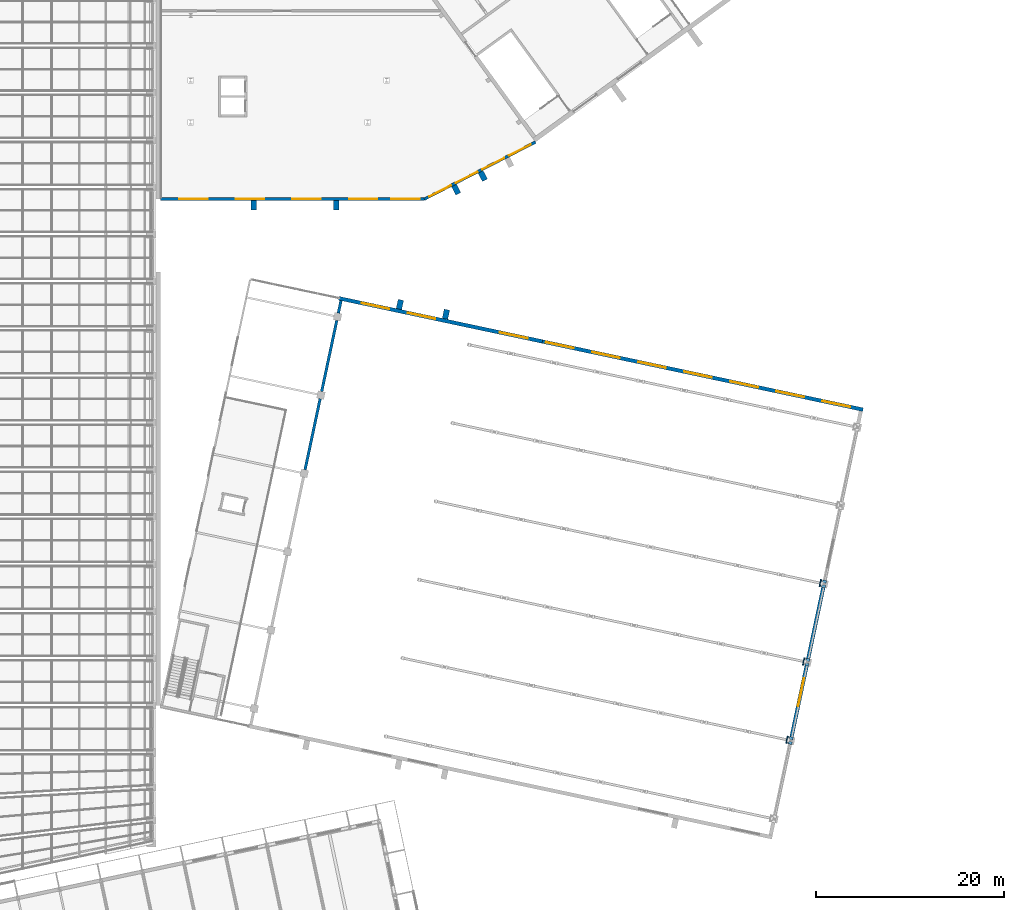
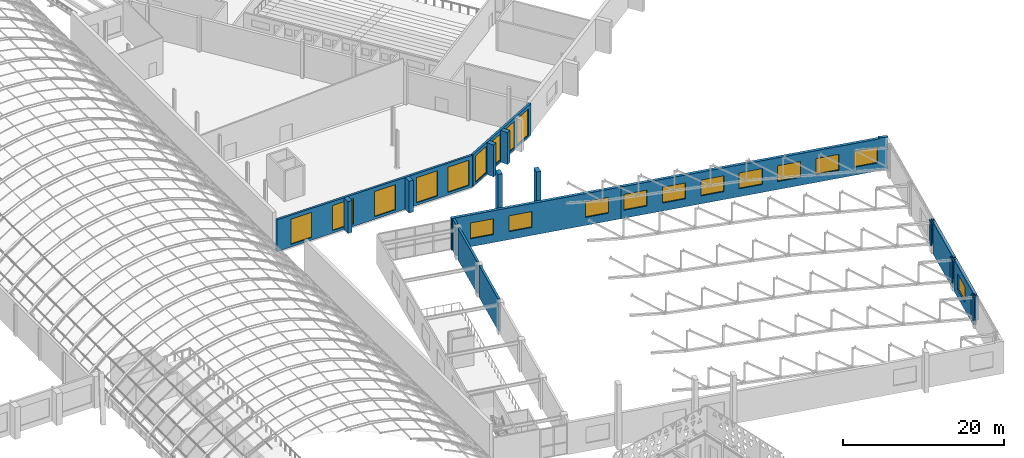
# One storey, part 137 of 182: 24 walls, 20 windows, 20 openings.
"""IFC4 building model written with IfcOpenShell, lengths in metres."""

import ifcopenshell
import ifcopenshell.guid

model = None  # the IFC model being written
_history = None  # IfcOwnerHistory: only IFC2X3 demands one
_inside = {}  # id of a spatial element -> (the spatial element, [elements in it])
_under = {}  # id of a project, library or spatial element -> (it, [spatial elements below it])
_declared = {}  # id of a project -> (the project, [libraries it declares])
_typed = {}  # id of a type object -> (the type object, [elements of that type])
_made_of = {}  # id of a material, layer set ... -> (it, [elements and type objects made of it])


def new_model(schema):
    """Start an empty IFC model of exactly this schema.

    Asked for "IFC4X3", IfcOpenShell would pick the latest addendum, in which some entities
    have other attributes; the version numbers below select the first issue.
    IFC2X3 requires an IfcOwnerHistory on every rooted entity: one is made here for all.
    """
    global model, _history
    if schema == "IFC4X3":
        model = ifcopenshell.file(schema_version=(4, 3, 0, 0))
    else:
        model = ifcopenshell.file(schema=schema)
    _inside.clear()
    _under.clear()
    _declared.clear()
    _typed.clear()
    _made_of.clear()
    _history = None
    if model.schema == "IFC2X3":
        org = make("IfcOrganization", Name="unknown")
        user = make(
            "IfcPersonAndOrganization",
            ThePerson=make("IfcPerson", FamilyName="unknown"),
            TheOrganization=org,
        )
        app = make(
            "IfcApplication",
            ApplicationDeveloper=org,
            Version="unknown",
            ApplicationFullName="unknown",
            ApplicationIdentifier="unknown",
        )
        _history = make(
            "IfcOwnerHistory",
            OwningUser=user,
            OwningApplication=app,
            ChangeAction="ADDED",
            CreationDate=0,
        )
    return model


def make(cls, **values):
    """One entity of the class cls with the attributes given. An attribute that is None is left unset."""
    return model.create_entity(
        cls, **{name: value for name, value in values.items() if value is not None}
    )


def rooted(cls, **values):
    """An entity with a GlobalId (a new one), such as an element, a storey or a relation."""
    return make(cls, GlobalId=ifcopenshell.guid.new(), OwnerHistory=_history, **values)


def si_unit(unit_type, name, prefix=None):
    """IfcSIUnit, for example si_unit("LENGTHUNIT", "METRE", prefix="MILLI")."""
    return make("IfcSIUnit", UnitType=unit_type, Prefix=prefix, Name=name)


def assignment(units):
    """IfcUnitAssignment: the units of a project."""
    return None if units is None else make("IfcUnitAssignment", Units=units)


def point(xyz):
    """IfcCartesianPoint."""
    return None if xyz is None else make("IfcCartesianPoint", Coordinates=xyz)


def direction(xyz):
    """IfcDirection."""
    return None if xyz is None else make("IfcDirection", DirectionRatios=xyz)


def frame(location, z_axis=None, x_axis=None):
    """IfcAxis2Placement3D, a coordinate frame: its origin and axes. An axis left out is left unset."""
    return make(
        "IfcAxis2Placement3D",
        Location=point(location),
        Axis=direction(z_axis),
        RefDirection=direction(x_axis),
    )


def frame_2d(location, x_axis=None):
    """IfcAxis2Placement2D, a coordinate frame in the plane: its origin and x axis."""
    return make(
        "IfcAxis2Placement2D", Location=point(location), RefDirection=direction(x_axis)
    )


def origin():
    """The frame at (0, 0, 0) with its axes left unset."""
    return frame((0.0, 0.0, 0.0))


def place(relative_to, where):
    """IfcLocalPlacement: puts the frame where relative to a parent placement (None: the world)."""
    return make(
        "IfcLocalPlacement", PlacementRelTo=relative_to, RelativePlacement=where
    )


def context(
    kind, dimensions, precision=None, world=None, true_north=None, identifier=None
):
    """IfcGeometricRepresentationContext, for example the 3D "Model" context."""
    return make(
        "IfcGeometricRepresentationContext",
        ContextIdentifier=identifier,
        ContextType=kind,
        CoordinateSpaceDimension=dimensions,
        Precision=precision,
        WorldCoordinateSystem=world,
        TrueNorth=true_north,
    )


def subcontext(parent, identifier, kind, view, scale=None):
    """IfcGeometricRepresentationSubContext, for example "Body" below "Model"."""
    return make(
        "IfcGeometricRepresentationSubContext",
        ContextIdentifier=identifier,
        ContextType=kind,
        ParentContext=parent,
        TargetScale=scale,
        TargetView=view,
    )


def project(units=None, contexts=None):
    """IfcProject with its units and contexts."""
    return rooted(
        "IfcProject",
        Name="project",
        RepresentationContexts=contexts,
        UnitsInContext=assignment(units),
    )


def spatial(cls, under=None, at=None, **own):
    """A site, building, storey or space (cls), placed at a placement, below another one or the project."""
    s = rooted(cls, ObjectPlacement=at, **own)
    if under is not None:
        _under.setdefault(under.id(), (under, []))[1].append(s)
    return s


def polyline(points):
    """IfcPolyline through the points."""
    return make("IfcPolyline", Points=[point(p) for p in points])


def profile(cls, at=None, kind="AREA", **sizes):
    """A parametric profile (cls). Its sizes go by their IFC names, for example OverallWidth=200.0."""
    return make(cls, ProfileType=kind, Position=at, **sizes)


def rectangle(**sizes):
    """IfcRectangleProfileDef."""
    return profile("IfcRectangleProfileDef", **sizes)


def outline(outer, holes=None, kind="AREA"):
    """IfcArbitraryClosedProfileDef: a profile drawn as a closed curve; with holes, ...WithVoids."""
    if holes is None:
        return make("IfcArbitraryClosedProfileDef", ProfileType=kind, OuterCurve=outer)
    return make(
        "IfcArbitraryProfileDefWithVoids",
        ProfileType=kind,
        OuterCurve=outer,
        InnerCurves=holes,
    )


def extrude(swept, where, along, depth):
    """IfcExtrudedAreaSolid: the profile swept, set in the frame where, extruded along a direction by depth."""
    return make(
        "IfcExtrudedAreaSolid",
        SweptArea=swept,
        Position=where,
        ExtrudedDirection=direction(along),
        Depth=depth,
    )


def shape(context_of_items, identifier, shape_type, items):
    """IfcShapeRepresentation: the items that make up one representation, for example the "Body"."""
    return make(
        "IfcShapeRepresentation",
        ContextOfItems=context_of_items,
        RepresentationIdentifier=identifier,
        RepresentationType=shape_type,
        Items=items,
    )


def material(Name=None, Category=None):
    """IfcMaterial."""
    return make("IfcMaterial", Name=Name, Category=Category)


def layer(
    of_material, thickness, ventilated=None, Name=None, Category=None, Priority=None
):
    """IfcMaterialLayer: one layer of a wall or slab, of a material (None: an air gap)."""
    return make(
        "IfcMaterialLayer",
        Material=of_material,
        LayerThickness=thickness,
        IsVentilated=ventilated,
        Name=Name,
        Category=Category,
        Priority=Priority,
    )


def layer_set(layers, Name=None):
    """IfcMaterialLayerSet."""
    return make("IfcMaterialLayerSet", MaterialLayers=layers, LayerSetName=Name)


def made_of(thing, what):
    """Note that an element or type object is made of a material, layer set ...; save() writes the relation."""
    if what is not None:
        _made_of.setdefault(what.id(), (what, []))[1].append(thing)
    return thing


def type_object(cls, material=None, **own):
    """A type object (cls), such as IfcWallType, which elements share."""
    return made_of(rooted(cls, **own), material)


def element(
    cls,
    number,
    at=None,
    inside=None,
    cuts=None,
    type_object=None,
    material=None,
    context=None,
    identifier="Body",
    shape_type=None,
    held_by="IfcProductDefinitionShape",
    body=None,
    shapes=None,
    **own,
):
    """One element of the class cls, such as IfcWall. Its Tag is "e" and its number.

    at: its placement. inside: the storey or other place that contains it. cuts: it is an
    opening in that element (IfcRelVoidsElement). A single representation is given by context,
    identifier, shape_type and body (its items); several are given by shapes. held_by: the class
    of the entity that holds the representations. save() writes the other relations.
    """
    e = rooted(cls, Tag="e%d" % number, ObjectPlacement=at, **own)
    if body is not None:
        shapes = [shape(context, identifier, shape_type, body)]
    if shapes is not None:
        e.Representation = make(held_by, Representations=shapes)
    if inside is not None:
        _inside.setdefault(inside.id(), (inside, []))[1].append(e)
    if cuts is not None:
        rooted(
            "IfcRelVoidsElement", RelatingBuildingElement=cuts, RelatedOpeningElement=e
        )
    if type_object is not None:
        _typed.setdefault(type_object.id(), (type_object, []))[1].append(e)
    return made_of(e, material)


def fill(opening, filler):
    """IfcRelFillsElement: the door or window that sits in an opening."""
    return rooted(
        "IfcRelFillsElement",
        RelatingOpeningElement=opening,
        RelatedBuildingElement=filler,
    )


def aggregate(whole, parts):
    """IfcRelAggregates: a whole, such as a stair, and the parts it consists of."""
    return rooted("IfcRelAggregates", RelatingObject=whole, RelatedObjects=parts)


def save(model, path):
    """Write the relations noted so far, then the file.

    IfcRelAggregates (storeys below a building ...), IfcRelContainedInSpatialStructure (elements
    in a storey), IfcRelDefinesByType, IfcRelAssociatesMaterial and IfcRelDeclares: one each for
    every whole, place, type object, material and project.
    """
    for whole, parts in _under.values():
        aggregate(whole, parts)
    for where, things in _inside.values():
        rooted(
            "IfcRelContainedInSpatialStructure",
            RelatedElements=things,
            RelatingStructure=where,
        )
    for kind, things in _typed.values():
        rooted("IfcRelDefinesByType", RelatedObjects=things, RelatingType=kind)
    for what, things in _made_of.values():
        rooted("IfcRelAssociatesMaterial", RelatedObjects=things, RelatingMaterial=what)
    for by, libraries in _declared.values():
        rooted("IfcRelDeclares", RelatingContext=by, RelatedDefinitions=libraries)
    model.write(path)


model = new_model("IFC4")

# Units and contexts
model_context = context("Model", 3, precision=1e-05, world=origin(), true_north=direction((0.0, 1.0)))
body_context = subcontext(model_context, "Body", "Model", "MODEL_VIEW")
ifc_project = project(units=[si_unit("LENGTHUNIT", "METRE"), si_unit("AREAUNIT", "SQUARE_METRE"), si_unit("VOLUMEUNIT", "CUBIC_METRE"), si_unit("PLANEANGLEUNIT", "RADIAN"), si_unit("MASSUNIT", "GRAM", prefix="KILO")], contexts=[model_context])

# Site, building, storey
site_placement = place(None, origin())
site = spatial("IfcSite", under=ifc_project, at=site_placement, CompositionType="ELEMENT")
building_placement = place(site_placement, origin())
building = spatial("IfcBuilding", under=site, at=building_placement, Name="Okhra Congress Centre", CompositionType="ELEMENT")
storey_placement = place(building_placement, frame((0.0, 0.0, 7.199951171875)))
storey = spatial("IfcBuildingStorey", under=building, at=storey_placement, Name="L01", CompositionType="ELEMENT", Elevation=7.199951171875)

# Walls
ifc_material_1 = material(Name="Concrete C35/45", Category="concrete")
ifc_layer_1 = layer(ifc_material_1, 0.60009765625)
ifc_layer_set_1 = layer_set([ifc_layer_1], Name="Ballroom wall fin 600 R 120 C35/45")
wall_type_1 = type_object("IfcWallType", Name="Ballroom wall fin 600 R 120 C35/45", PredefinedType="SOLIDWALL", material=ifc_layer_set_1)
wall_1_placement = place(storey_placement, frame((215.29736328125, 138.0595703125, 0.0), z_axis=(0.0, 0.0, 1.0), x_axis=(0.208028123778, 0.978122844901, 0.0)))
element("IfcWall", 1, at=wall_1_placement, inside=storey, type_object=wall_type_1, Name="Ballroom wall fin north-west 1 L01", PredefinedType="SOLIDWALL", context=body_context, shape_type="SweptSolid", body=[
    extrude(rectangle(XDim=1.0, YDim=0.60009765625, at=frame_2d((0.5, 0.0))), origin(), (0.0, 0.0, 1.0), 9.84814453125),
])
wall_2_placement = place(storey_placement, frame((220.188232421875, 137.02001953125, 0.0), z_axis=(0.0, 0.0, 1.0), x_axis=(0.20779450791, 0.978172501394, 0.0)))
element("IfcWall", 2, at=wall_2_placement, inside=storey, type_object=wall_type_1, Name="Ballroom wall fin north-west 2 L01", PredefinedType="SOLIDWALL", context=body_context, shape_type="SweptSolid", body=[
    extrude(rectangle(XDim=0.999755859375, YDim=0.60009765625, at=frame_2d((0.5, 0.0))), origin(), (0.0, 0.0, 1.0), 9.14599609375),
])
ifc_layer_2 = layer(ifc_material_1, 0.60009765625)
ifc_layer_set_2 = layer_set([ifc_layer_2], Name="Foyer wall fin 600 R 120 C35/45")
wall_type_2 = type_object("IfcWallType", Name="Foyer wall fin 600 R 120 C35/45", PredefinedType="SOLIDWALL", material=ifc_layer_set_2)
for number, where, z_axis, x_axis, name in (
    (3, (199.89990234375, 149.580078125, 0.0), (0.0, 0.0, 1.0), (0.0, -1.0, 0.0), "Foyer wall fin 1 L01"),
    (4, (208.64990234375, 149.580078125, 0.0), (0.0, 0.0, 1.0), (0.0, -1.0, 0.0), "Foyer wall fin 2 L01"),
    (5, (221.144775390625, 151.1767578125, 0.0), (0.0, 0.0, 1.0), (0.456757693839, -0.889591147167, 0.0), "Prow wall fin 3 L01"),
):
    element("IfcWall", number, at=place(storey_placement, frame(where, z_axis=z_axis, x_axis=x_axis)), inside=storey, type_object=wall_type_2, Name=name, PredefinedType="SOLIDWALL", context=body_context, shape_type="SweptSolid", body=[
        extrude(rectangle(XDim=1.0, YDim=0.60009765625, at=frame_2d((0.5, 0.0))), origin(), (0.0, 0.0, 1.0), 4.800048828125),
    ])
wall_3_placement = place(storey_placement, frame((223.96630859375, 152.626220703125, 0.0), z_axis=(0.0, 0.0, 1.0), x_axis=(0.456950855239, -0.88949194257, 0.0)))
element("IfcWall", 6, at=wall_3_placement, inside=storey, type_object=wall_type_2, Name="Prow wall fin 4 L01", PredefinedType="SOLIDWALL", context=body_context, shape_type="SweptSolid", body=[
    extrude(rectangle(XDim=1.000244140625, YDim=0.60009765625, at=frame_2d((0.5, 0.0))), origin(), (0.0, 0.0, 1.0), 4.800048828125),
])
ifc_material_2 = material(Name="Insulated metal sandwich panel (mineral wool core)")
ifc_layer_3 = layer(ifc_material_2, 0.14990234375)
ifc_layer_set_3 = layer_set([ifc_layer_3], Name="Insulated infill panel 150")
wall_type_3 = type_object("IfcWallType", Name="Insulated infill panel 150", PredefinedType="SOLIDWALL", material=ifc_layer_set_3)
wall_4_placement = place(storey_placement, frame((256.41015625, 91.9541015625, 1.25), z_axis=(0.0, 0.0, 1.0), x_axis=(0.207840504985, 0.978162729042, 0.0)))
element("IfcWall", 7, at=wall_4_placement, inside=storey, type_object=wall_type_3, Name="Ballroom east wall infill 2", PredefinedType="SOLIDWALL", context=body_context, shape_type="SweptSolid", body=[
    extrude(rectangle(XDim=0.800048828125, YDim=0.14990234375, at=frame_2d((0.39990234375, 0.0))), origin(), (0.0, 0.0, 1.0), 3.550048828125),
])
wall_5_placement = place(storey_placement, frame((258.17724609375, 100.268310546875, 1.25), z_axis=(0.0, 0.0, 1.0), x_axis=(0.207778475573, 0.978175907027, 0.0)))
element("IfcWall", 8, at=wall_5_placement, inside=storey, type_object=wall_type_3, Name="Ballroom east wall infill 3", PredefinedType="SOLIDWALL", context=body_context, shape_type="SweptSolid", body=[
    extrude(rectangle(XDim=0.80029296875, YDim=0.14990234375, at=frame_2d((0.400146484375, 0.0))), origin(), (0.0, 0.0, 1.0), 3.550048828125),
])
wall_6_placement = place(storey_placement, frame((259.944580078125, 108.582763671875, 1.25), z_axis=(0.0, 0.0, 1.0), x_axis=(0.207840504985, 0.978162729042, 0.0)))
element("IfcWall", 9, at=wall_6_placement, inside=storey, type_object=wall_type_3, Name="Ballroom east wall infill 4", PredefinedType="SOLIDWALL", context=body_context, shape_type="SweptSolid", body=[
    extrude(rectangle(XDim=0.800048828125, YDim=0.14990234375, at=frame_2d((0.39990234375, 0.0))), origin(), (0.0, 0.0, 1.0), 3.550048828125),
])

# Wall, openings, windows
ifc_layer_4 = layer(ifc_material_2, 0.39990234375)
ifc_layer_set_4 = layer_set([ifc_layer_4], Name="Insulated wall panel 400")
wall_type_4 = type_object("IfcWallType", Name="Insulated wall panel 400", PredefinedType="SOLIDWALL", material=ifc_layer_set_4)
wall_7_placement = place(storey_placement, frame((208.92724609375, 139.208984375, 0.0), z_axis=(0.0, 0.0, 1.0), x_axis=(0.978147350686, -0.207912867197, 0.0)))
wall_7 = element("IfcWall", 10, at=wall_7_placement, inside=storey, type_object=wall_type_4, Name="Ballroom north-west wall L01", PredefinedType="SOLIDWALL", context=body_context, shape_type="SweptSolid", body=[
    extrude(rectangle(XDim=22.06982421875, YDim=0.39990234375, at=frame_2d((11.034912109375, 0.0))), origin(), (0.0, 0.0, 1.0), 4.800048828125),
])
opening_1_placement = place(wall_7_placement, frame((2.469970703125, 0.0, 1.199951171875)))
opening_1 = element("IfcOpeningElement", 11, at=opening_1_placement, cuts=wall_7, Name="Opening WN13", PredefinedType="OPENING", context=body_context, shape_type="SweptSolid", body=[
    extrude(rectangle(XDim=3.0, YDim=2.39990234375, at=frame_2d((1.5, 1.199951171875))), frame((0.0, 0.2099609375, 0.0), z_axis=(0.0, -1.0, 0.0), x_axis=(1.0, 0.0, 0.0)), (0.0, 0.0, 1.0), 0.419921875),
])
opening_2_placement = place(wall_7_placement, frame((7.469970703125, 0.0, 1.199951171875)))
opening_2 = element("IfcOpeningElement", 12, at=opening_2_placement, cuts=wall_7, Name="Opening WN13", PredefinedType="OPENING", context=body_context, shape_type="SweptSolid", body=[
    extrude(rectangle(XDim=3.0, YDim=2.39990234375, at=frame_2d((1.5, 1.199951171875))), frame((0.0, 0.2099609375, 0.0), z_axis=(0.0, -1.0, 0.0), x_axis=(1.0, 0.0, 0.0)), (0.0, 0.0, 1.0), 0.419921875),
])
opening_3_placement = place(wall_7_placement, frame((17.469970703125, 0.0, 1.199951171875)))
opening_3 = element("IfcOpeningElement", 13, at=opening_3_placement, cuts=wall_7, Name="Opening WN13", PredefinedType="OPENING", context=body_context, shape_type="SweptSolid", body=[
    extrude(rectangle(XDim=3.0, YDim=2.39990234375, at=frame_2d((1.5, 1.199951171875))), frame((0.0, 0.2099609375, 0.0), z_axis=(0.0, -1.0, 0.0), x_axis=(1.0, 0.0, 0.0)), (0.0, 0.0, 1.0), 0.419921875),
])
ifc_material_3 = material(Name="Thermally broken aluminium frame, triple glazing", Category="aluminium")
window_type_1 = type_object("IfcWindowType", Name="Fixed window 3000x2400", PartitioningType="SINGLE_PANEL", PredefinedType="WINDOW", material=ifc_material_3)
window_1_placement = place(opening_1_placement, origin())
window_1 = element("IfcWindow", 14, at=window_1_placement, inside=storey, type_object=window_type_1, Name="Ballroom clerestory window", OverallHeight=2.39990234375, OverallWidth=3.0, PartitioningType="SINGLE_PANEL", PredefinedType="WINDOW", context=body_context, shape_type="SweptSolid", body=[
    extrude(rectangle(XDim=3.0, YDim=2.39990234375, at=frame_2d((1.5, 1.199951171875))), frame((0.0, 0.030029296875, 0.0), z_axis=(0.0, -1.0, 0.0), x_axis=(1.0, 0.0, 0.0)), (0.0, 0.0, 1.0), 0.06005859375),
])
fill(opening_1, window_1)
window_2_placement = place(opening_2_placement, origin())
window_2 = element("IfcWindow", 15, at=window_2_placement, inside=storey, type_object=window_type_1, Name="Ballroom clerestory window", OverallHeight=2.39990234375, OverallWidth=3.0, PartitioningType="SINGLE_PANEL", PredefinedType="WINDOW", context=body_context, shape_type="SweptSolid", body=[
    extrude(rectangle(XDim=3.0, YDim=2.39990234375, at=frame_2d((1.5, 1.199951171875))), frame((0.0, 0.030029296875, 0.0), z_axis=(0.0, -1.0, 0.0), x_axis=(1.0, 0.0, 0.0)), (0.0, 0.0, 1.0), 0.06005859375),
])
fill(opening_2, window_2)
window_3_placement = place(opening_3_placement, origin())
window_3 = element("IfcWindow", 16, at=window_3_placement, inside=storey, type_object=window_type_1, Name="Ballroom clerestory window", OverallHeight=2.39990234375, OverallWidth=3.0, PartitioningType="SINGLE_PANEL", PredefinedType="WINDOW", context=body_context, shape_type="SweptSolid", body=[
    extrude(rectangle(XDim=3.0, YDim=2.39990234375, at=frame_2d((1.5, 1.199951171875))), frame((0.0, 0.030029296875, 0.0), z_axis=(0.0, -1.0, 0.0), x_axis=(1.0, 0.0, 0.0)), (0.0, 0.0, 1.0), 0.06005859375),
])
fill(opening_3, window_3)

wall_8_placement = place(storey_placement, frame((230.514892578125, 134.620361328125, 0.0), z_axis=(0.0, 0.0, 1.0), x_axis=(0.978147473993, -0.207912287086, 0.0)))
wall_8 = element("IfcWall", 17, at=wall_8_placement, inside=storey, type_object=wall_type_4, Name="Ballroom north-east wall L01", PredefinedType="SOLIDWALL", context=body_context, shape_type="SweptSolid", body=[
    extrude(outline(polyline([(0.0, 0.0), (34.800048828125, 0.0), (34.800048828125, 4.830078125), (33.623779296875, 4.949951171875), (33.622802734375, 4.800048828125), (0.0, 4.800048828125), (0.0, 0.0)])), frame((0.0, 0.199951171875, 0.0), z_axis=(0.0, -1.0, 0.0), x_axis=(1.0, 0.0, 0.0)), (0.0, 0.0, 1.0), 0.39990234375),
])
opening_4_placement = place(wall_8_placement, frame((0.39990234375, 0.0, 1.199951171875)))
opening_4 = element("IfcOpeningElement", 18, at=opening_4_placement, cuts=wall_8, Name="Opening WN13", PredefinedType="OPENING", context=body_context, shape_type="SweptSolid", body=[
    extrude(rectangle(XDim=3.0, YDim=2.39990234375, at=frame_2d((1.5, 1.199951171875))), frame((0.0, 0.2099609375, 0.0), z_axis=(0.0, -1.0, 0.0), x_axis=(1.0, 0.0, 0.0)), (0.0, 0.0, 1.0), 0.419921875),
])
opening_5_placement = place(wall_8_placement, frame((5.39990234375, 0.0, 1.199951171875)))
opening_5 = element("IfcOpeningElement", 19, at=opening_5_placement, cuts=wall_8, Name="Opening WN13", PredefinedType="OPENING", context=body_context, shape_type="SweptSolid", body=[
    extrude(rectangle(XDim=3.0, YDim=2.39990234375, at=frame_2d((1.5, 1.199951171875))), frame((0.0, 0.2099609375, 0.0), z_axis=(0.0, -1.0, 0.0), x_axis=(1.0, 0.0, 0.0)), (0.0, 0.0, 1.0), 0.419921875),
])
opening_6_placement = place(wall_8_placement, frame((10.39990234375, 0.0, 1.199951171875)))
opening_6 = element("IfcOpeningElement", 20, at=opening_6_placement, cuts=wall_8, Name="Opening WN13", PredefinedType="OPENING", context=body_context, shape_type="SweptSolid", body=[
    extrude(rectangle(XDim=3.0, YDim=2.39990234375, at=frame_2d((1.5, 1.199951171875))), frame((0.0, 0.2099609375, 0.0), z_axis=(0.0, -1.0, 0.0), x_axis=(1.0, 0.0, 0.0)), (0.0, 0.0, 1.0), 0.419921875),
])
opening_7_placement = place(wall_8_placement, frame((15.39990234375, 0.0, 1.199951171875)))
opening_7 = element("IfcOpeningElement", 21, at=opening_7_placement, cuts=wall_8, Name="Opening WN13", PredefinedType="OPENING", context=body_context, shape_type="SweptSolid", body=[
    extrude(rectangle(XDim=3.0, YDim=2.39990234375, at=frame_2d((1.5, 1.199951171875))), frame((0.0, 0.2099609375, 0.0), z_axis=(0.0, -1.0, 0.0), x_axis=(1.0, 0.0, 0.0)), (0.0, 0.0, 1.0), 0.419921875),
])
opening_8_placement = place(wall_8_placement, frame((20.39990234375, 0.0, 1.199951171875)))
opening_8 = element("IfcOpeningElement", 22, at=opening_8_placement, cuts=wall_8, Name="Opening WN13", PredefinedType="OPENING", context=body_context, shape_type="SweptSolid", body=[
    extrude(rectangle(XDim=3.0, YDim=2.39990234375, at=frame_2d((1.5, 1.199951171875))), frame((0.0, 0.2099609375, 0.0), z_axis=(0.0, -1.0, 0.0), x_axis=(1.0, 0.0, 0.0)), (0.0, 0.0, 1.0), 0.419921875),
])
opening_9_placement = place(wall_8_placement, frame((25.39990234375, 0.0, 1.199951171875)))
opening_9 = element("IfcOpeningElement", 23, at=opening_9_placement, cuts=wall_8, Name="Opening WN13", PredefinedType="OPENING", context=body_context, shape_type="SweptSolid", body=[
    extrude(rectangle(XDim=3.0, YDim=2.39990234375, at=frame_2d((1.5, 1.199951171875))), frame((0.0, 0.2099609375, 0.0), z_axis=(0.0, -1.0, 0.0), x_axis=(1.0, 0.0, 0.0)), (0.0, 0.0, 1.0), 0.419921875),
])
opening_10_placement = place(wall_8_placement, frame((30.39990234375, 0.0, 1.199951171875)))
opening_10 = element("IfcOpeningElement", 24, at=opening_10_placement, cuts=wall_8, Name="Opening WN13", PredefinedType="OPENING", context=body_context, shape_type="SweptSolid", body=[
    extrude(rectangle(XDim=3.0, YDim=2.39990234375, at=frame_2d((1.5, 1.199951171875))), frame((0.0, 0.2099609375, 0.0), z_axis=(0.0, -1.0, 0.0), x_axis=(1.0, 0.0, 0.0)), (0.0, 0.0, 1.0), 0.419921875),
])
window_4_placement = place(opening_4_placement, origin())
window_4 = element("IfcWindow", 25, at=window_4_placement, inside=storey, type_object=window_type_1, Name="Ballroom clerestory window", OverallHeight=2.39990234375, OverallWidth=3.0, PartitioningType="SINGLE_PANEL", PredefinedType="WINDOW", context=body_context, shape_type="SweptSolid", body=[
    extrude(rectangle(XDim=3.0, YDim=2.39990234375, at=frame_2d((1.5, 1.199951171875))), frame((0.0, 0.030029296875, 0.0), z_axis=(0.0, -1.0, 0.0), x_axis=(1.0, 0.0, 0.0)), (0.0, 0.0, 1.0), 0.06005859375),
])
fill(opening_4, window_4)
window_5_placement = place(opening_5_placement, origin())
window_5 = element("IfcWindow", 26, at=window_5_placement, inside=storey, type_object=window_type_1, Name="Ballroom clerestory window", OverallHeight=2.39990234375, OverallWidth=3.0, PartitioningType="SINGLE_PANEL", PredefinedType="WINDOW", context=body_context, shape_type="SweptSolid", body=[
    extrude(rectangle(XDim=3.0, YDim=2.39990234375, at=frame_2d((1.5, 1.199951171875))), frame((0.0, 0.030029296875, 0.0), z_axis=(0.0, -1.0, 0.0), x_axis=(1.0, 0.0, 0.0)), (0.0, 0.0, 1.0), 0.06005859375),
])
fill(opening_5, window_5)
window_6_placement = place(opening_6_placement, origin())
window_6 = element("IfcWindow", 27, at=window_6_placement, inside=storey, type_object=window_type_1, Name="Ballroom clerestory window", OverallHeight=2.39990234375, OverallWidth=3.0, PartitioningType="SINGLE_PANEL", PredefinedType="WINDOW", context=body_context, shape_type="SweptSolid", body=[
    extrude(rectangle(XDim=3.0, YDim=2.39990234375, at=frame_2d((1.5, 1.199951171875))), frame((0.0, 0.030029296875, 0.0), z_axis=(0.0, -1.0, 0.0), x_axis=(1.0, 0.0, 0.0)), (0.0, 0.0, 1.0), 0.06005859375),
])
fill(opening_6, window_6)
window_7_placement = place(opening_7_placement, origin())
window_7 = element("IfcWindow", 28, at=window_7_placement, inside=storey, type_object=window_type_1, Name="Ballroom clerestory window", OverallHeight=2.39990234375, OverallWidth=3.0, PartitioningType="SINGLE_PANEL", PredefinedType="WINDOW", context=body_context, shape_type="SweptSolid", body=[
    extrude(rectangle(XDim=3.0, YDim=2.39990234375, at=frame_2d((1.5, 1.199951171875))), frame((0.0, 0.030029296875, 0.0), z_axis=(0.0, -1.0, 0.0), x_axis=(1.0, 0.0, 0.0)), (0.0, 0.0, 1.0), 0.06005859375),
])
fill(opening_7, window_7)
window_8_placement = place(opening_8_placement, origin())
window_8 = element("IfcWindow", 29, at=window_8_placement, inside=storey, type_object=window_type_1, Name="Ballroom clerestory window", OverallHeight=2.39990234375, OverallWidth=3.0, PartitioningType="SINGLE_PANEL", PredefinedType="WINDOW", context=body_context, shape_type="SweptSolid", body=[
    extrude(rectangle(XDim=3.0, YDim=2.39990234375, at=frame_2d((1.5, 1.199951171875))), frame((0.0, 0.030029296875, 0.0), z_axis=(0.0, -1.0, 0.0), x_axis=(1.0, 0.0, 0.0)), (0.0, 0.0, 1.0), 0.06005859375),
])
fill(opening_8, window_8)
window_9_placement = place(opening_9_placement, origin())
window_9 = element("IfcWindow", 30, at=window_9_placement, inside=storey, type_object=window_type_1, Name="Ballroom clerestory window", OverallHeight=2.39990234375, OverallWidth=3.0, PartitioningType="SINGLE_PANEL", PredefinedType="WINDOW", context=body_context, shape_type="SweptSolid", body=[
    extrude(rectangle(XDim=3.0, YDim=2.39990234375, at=frame_2d((1.5, 1.199951171875))), frame((0.0, 0.030029296875, 0.0), z_axis=(0.0, -1.0, 0.0), x_axis=(1.0, 0.0, 0.0)), (0.0, 0.0, 1.0), 0.06005859375),
])
fill(opening_9, window_9)
window_10_placement = place(opening_10_placement, origin())
window_10 = element("IfcWindow", 31, at=window_10_placement, inside=storey, type_object=window_type_1, Name="Ballroom clerestory window", OverallHeight=2.39990234375, OverallWidth=3.0, PartitioningType="SINGLE_PANEL", PredefinedType="WINDOW", context=body_context, shape_type="SweptSolid", body=[
    extrude(rectangle(XDim=3.0, YDim=2.39990234375, at=frame_2d((1.5, 1.199951171875))), frame((0.0, 0.030029296875, 0.0), z_axis=(0.0, -1.0, 0.0), x_axis=(1.0, 0.0, 0.0)), (0.0, 0.0, 1.0), 0.06005859375),
])
fill(opening_10, window_10)

# Wall, opening, window
wall_9_placement = place(storey_placement, frame((256.967529296875, 92.653564453125, 0.0), z_axis=(0.0, 0.0, 1.0), x_axis=(0.207930804564, 0.978143537786, 0.0)))
wall_9 = element("IfcWall", 32, at=wall_9_placement, inside=storey, type_object=wall_type_4, Name="Ballroom east wall", PredefinedType="SOLIDWALL", context=body_context, shape_type="SweptSolid", body=[
    extrude(rectangle(XDim=7.699951171875, YDim=0.39990234375, at=frame_2d((3.85009765625, 0.0))), origin(), (0.0, 0.0, 1.0), 4.800048828125),
])
opening_11_placement = place(wall_9_placement, frame((3.35009765625, 0.0, 1.199951171875)))
opening_11 = element("IfcOpeningElement", 33, at=opening_11_placement, cuts=wall_9, Name="Opening WN13", PredefinedType="OPENING", context=body_context, shape_type="SweptSolid", body=[
    extrude(rectangle(XDim=3.0, YDim=2.39990234375, at=frame_2d((1.5, 1.199951171875))), frame((0.0, 0.2099609375, 0.0), z_axis=(0.0, -1.0, 0.0), x_axis=(1.0, 0.0, 0.0)), (0.0, 0.0, 1.0), 0.419921875),
])
window_11_placement = place(opening_11_placement, origin())
window_11 = element("IfcWindow", 34, at=window_11_placement, inside=storey, type_object=window_type_1, Name="Ballroom clerestory window", OverallHeight=2.39990234375, OverallWidth=3.0, PartitioningType="SINGLE_PANEL", PredefinedType="WINDOW", context=body_context, shape_type="SweptSolid", body=[
    extrude(rectangle(XDim=3.0, YDim=2.39990234375, at=frame_2d((1.5, 1.199951171875))), frame((0.0, 0.030029296875, 0.0), z_axis=(0.0, -1.0, 0.0), x_axis=(1.0, 0.0, 0.0)), (0.0, 0.0, 1.0), 0.06005859375),
])
fill(opening_11, window_11)

# Walls
wall_10_placement = place(storey_placement, frame((258.73486328125, 100.9677734375, 0.0), z_axis=(0.0, 0.0, 1.0), x_axis=(0.207900468663, 0.978149986009, 0.0)))
element("IfcWall", 35, at=wall_10_placement, inside=storey, type_object=wall_type_4, Name="Ballroom east wall", PredefinedType="SOLIDWALL", context=body_context, shape_type="SweptSolid", body=[
    extrude(rectangle(XDim=7.699951171875, YDim=0.39990234375, at=frame_2d((3.85009765625, 0.0))), origin(), (0.0, 0.0, 1.0), 4.800048828125),
])
for number, where, z_axis, x_axis, name in (
    (36, (256.80126953125, 91.87109375, 1.25), (0.0, 0.0, 1.0), (0.208306395052, 0.978063620518, 0.0), "Ballroom east wall"),
    (37, (256.9052734375, 92.360107421875, 1.25), (0.0, 0.0, 1.0), (0.207527808066, 0.978229118806, 0.0), "Ballroom east wall"),
    (38, (258.568603515625, 100.185302734375, 1.25), (0.0, 0.0, 1.0), (0.207527808066, 0.978229118806, 0.0), "Ballroom east wall"),
    (39, (258.672607421875, 100.67431640625, 1.25), (0.0, 0.0, 1.0), (0.207527808066, 0.978229118806, 0.0), "Ballroom east wall"),
    (40, (260.335693359375, 108.49951171875, 1.25), (0.0, 0.0, 1.0), (0.208306395052, 0.978063620518, 0.0), "Ballroom east wall"),
    (41, (260.439697265625, 108.988525390625, 1.25), (0.0, 0.0, 1.0), (0.208306395052, 0.978063620518, 0.0), "Ballroom east wall"),
):
    element("IfcWall", number, at=place(storey_placement, frame(where, z_axis=z_axis, x_axis=x_axis)), inside=storey, type_object=wall_type_4, Name=name, PredefinedType="SOLIDWALL", context=body_context, shape_type="SweptSolid", body=[
        extrude(rectangle(XDim=0.300048828125, YDim=0.39990234375, at=frame_2d((0.14990234375, 0.0))), origin(), (0.0, 0.0, 1.0), 3.550048828125),
    ])
ifc_material_4 = material(Name="Concrete C30/37", Category="concrete")
ifc_layer_5 = layer(ifc_material_4, 0.300048828125)
ifc_layer_set_5 = layer_set([ifc_layer_5], Name="RC partition wall 300 C30/37")
wall_type_5 = type_object("IfcWallType", Name="RC partition wall 300 C30/37", PredefinedType="SOLIDWALL", material=ifc_layer_set_5)
for number, where, z_axis, x_axis, name in (
    (42, (205.334716796875, 121.00830078125, 0.0), (0.0, 0.0, 1.0), (0.207900468663, 0.978149986009, 0.0), "Hall and foyer partition wall"),
    (43, (207.101806640625, 129.322509765625, 0.0), (0.0, 0.0, 1.0), (0.207930804564, 0.978143537786, 0.0), "Hall and foyer partition wall"),
):
    element("IfcWall", number, at=place(storey_placement, frame(where, z_axis=z_axis, x_axis=x_axis)), inside=storey, type_object=wall_type_5, Name=name, PredefinedType="SOLIDWALL", context=body_context, shape_type="SweptSolid", body=[
        extrude(rectangle(XDim=7.699951171875, YDim=0.300048828125, at=frame_2d((3.85009765625, 0.0))), origin(), (0.0, 0.0, 1.0), 4.800048828125),
    ])
wall_11_placement = place(storey_placement, frame((208.869140625, 137.63671875, 0.0), z_axis=(0.0, 0.0, 1.0), x_axis=(0.207960405185, 0.978137244908, 0.0)))
element("IfcWall", 44, at=wall_11_placement, inside=storey, type_object=wall_type_5, Name="Hall and foyer partition wall", PredefinedType="SOLIDWALL", context=body_context, shape_type="SweptSolid", body=[
    extrude(rectangle(XDim=1.35009765625, YDim=0.300048828125, at=frame_2d((0.675048828125, 0.0))), origin(), (0.0, 0.0, 1.0), 4.800048828125),
])

# Wall, openings, windows
ifc_layer_6 = layer(ifc_material_4, 0.300048828125)
ifc_layer_set_6 = layer_set([ifc_layer_6], Name="RC wall 300 REI 120 C30/37")
wall_type_6 = type_object("IfcWallType", Name="RC wall 300 REI 120 C30/37", PredefinedType="SOLIDWALL", material=ifc_layer_set_6)
wall_12_placement = place(storey_placement, frame((190.0, 149.72998046875, 0.0), z_axis=(0.0, 0.0, 1.0), x_axis=(1.0, 0.0, 0.0)))
wall_12 = element("IfcWall", 45, at=wall_12_placement, inside=storey, type_object=wall_type_6, Name="Foyer south wall L01", PredefinedType="SOLIDWALL", context=body_context, shape_type="SweptSolid", body=[
    extrude(rectangle(XDim=28.0, YDim=0.300048828125, at=frame_2d((14.0, 0.0))), origin(), (0.0, 0.0, 1.0), 4.800048828125),
])
opening_12_placement = place(wall_12_placement, frame((2.0, 0.0, 0.39990234375)))
opening_12 = element("IfcOpeningElement", 46, at=opening_12_placement, cuts=wall_12, Name="Opening WN32", PredefinedType="OPENING", context=body_context, shape_type="SweptSolid", body=[
    extrude(rectangle(XDim=3.0, YDim=3.800048828125, at=frame_2d((1.5, 1.89990234375))), frame((0.0, 0.159912109375, 0.0), z_axis=(0.0, -1.0, 0.0), x_axis=(1.0, 0.0, 0.0)), (0.0, 0.0, 1.0), 0.320068359375),
])
opening_13_placement = place(wall_12_placement, frame((8.0, 0.0, 0.39990234375)))
opening_13 = element("IfcOpeningElement", 47, at=opening_13_placement, cuts=wall_12, Name="Opening WN32", PredefinedType="OPENING", context=body_context, shape_type="SweptSolid", body=[
    extrude(rectangle(XDim=3.0, YDim=3.800048828125, at=frame_2d((1.5, 1.89990234375))), frame((0.0, 0.159912109375, 0.0), z_axis=(0.0, -1.0, 0.0), x_axis=(1.0, 0.0, 0.0)), (0.0, 0.0, 1.0), 0.320068359375),
])
opening_14_placement = place(wall_12_placement, frame((14.0, 0.0, 0.39990234375)))
opening_14 = element("IfcOpeningElement", 48, at=opening_14_placement, cuts=wall_12, Name="Opening WN32", PredefinedType="OPENING", context=body_context, shape_type="SweptSolid", body=[
    extrude(rectangle(XDim=3.0, YDim=3.800048828125, at=frame_2d((1.5, 1.89990234375))), frame((0.0, 0.159912109375, 0.0), z_axis=(0.0, -1.0, 0.0), x_axis=(1.0, 0.0, 0.0)), (0.0, 0.0, 1.0), 0.320068359375),
])
opening_15_placement = place(wall_12_placement, frame((20.0, 0.0, 0.39990234375)))
opening_15 = element("IfcOpeningElement", 49, at=opening_15_placement, cuts=wall_12, Name="Opening WN32", PredefinedType="OPENING", context=body_context, shape_type="SweptSolid", body=[
    extrude(rectangle(XDim=3.0, YDim=3.800048828125, at=frame_2d((1.5, 1.89990234375))), frame((0.0, 0.159912109375, 0.0), z_axis=(0.0, -1.0, 0.0), x_axis=(1.0, 0.0, 0.0)), (0.0, 0.0, 1.0), 0.320068359375),
])
opening_16_placement = place(wall_12_placement, frame((24.5, 0.0, 0.39990234375)))
opening_16 = element("IfcOpeningElement", 50, at=opening_16_placement, cuts=wall_12, Name="Opening WN32", PredefinedType="OPENING", context=body_context, shape_type="SweptSolid", body=[
    extrude(rectangle(XDim=3.0, YDim=3.800048828125, at=frame_2d((1.5, 1.89990234375))), frame((0.0, 0.159912109375, 0.0), z_axis=(0.0, -1.0, 0.0), x_axis=(1.0, 0.0, 0.0)), (0.0, 0.0, 1.0), 0.320068359375),
])
window_type_2 = type_object("IfcWindowType", Name="Fixed window 3000x3800", PartitioningType="SINGLE_PANEL", PredefinedType="WINDOW", material=ifc_material_3)
window_12_placement = place(opening_12_placement, origin())
window_12 = element("IfcWindow", 51, at=window_12_placement, inside=storey, type_object=window_type_2, Name="PH.WIN.L01.11", OverallHeight=3.800048828125, OverallWidth=3.0, PartitioningType="SINGLE_PANEL", PredefinedType="WINDOW", context=body_context, shape_type="SweptSolid", body=[
    extrude(rectangle(XDim=3.0, YDim=3.800048828125, at=frame_2d((1.5, 1.89990234375))), frame((0.0, 0.030029296875, 0.0), z_axis=(0.0, -1.0, 0.0), x_axis=(1.0, 0.0, 0.0)), (0.0, 0.0, 1.0), 0.06005859375),
])
fill(opening_12, window_12)
window_13_placement = place(opening_13_placement, origin())
window_13 = element("IfcWindow", 52, at=window_13_placement, inside=storey, type_object=window_type_2, Name="PH.WIN.L01.12", OverallHeight=3.800048828125, OverallWidth=3.0, PartitioningType="SINGLE_PANEL", PredefinedType="WINDOW", context=body_context, shape_type="SweptSolid", body=[
    extrude(rectangle(XDim=3.0, YDim=3.800048828125, at=frame_2d((1.5, 1.89990234375))), frame((0.0, 0.030029296875, 0.0), z_axis=(0.0, -1.0, 0.0), x_axis=(1.0, 0.0, 0.0)), (0.0, 0.0, 1.0), 0.06005859375),
])
fill(opening_13, window_13)
window_14_placement = place(opening_14_placement, origin())
window_14 = element("IfcWindow", 53, at=window_14_placement, inside=storey, type_object=window_type_2, Name="PH.WIN.L01.13", OverallHeight=3.800048828125, OverallWidth=3.0, PartitioningType="SINGLE_PANEL", PredefinedType="WINDOW", context=body_context, shape_type="SweptSolid", body=[
    extrude(rectangle(XDim=3.0, YDim=3.800048828125, at=frame_2d((1.5, 1.89990234375))), frame((0.0, 0.030029296875, 0.0), z_axis=(0.0, -1.0, 0.0), x_axis=(1.0, 0.0, 0.0)), (0.0, 0.0, 1.0), 0.06005859375),
])
fill(opening_14, window_14)
window_15_placement = place(opening_15_placement, origin())
window_15 = element("IfcWindow", 54, at=window_15_placement, inside=storey, type_object=window_type_2, Name="PH.WIN.L01.14", OverallHeight=3.800048828125, OverallWidth=3.0, PartitioningType="SINGLE_PANEL", PredefinedType="WINDOW", context=body_context, shape_type="SweptSolid", body=[
    extrude(rectangle(XDim=3.0, YDim=3.800048828125, at=frame_2d((1.5, 1.89990234375))), frame((0.0, 0.030029296875, 0.0), z_axis=(0.0, -1.0, 0.0), x_axis=(1.0, 0.0, 0.0)), (0.0, 0.0, 1.0), 0.06005859375),
])
fill(opening_15, window_15)
window_16_placement = place(opening_16_placement, origin())
window_16 = element("IfcWindow", 55, at=window_16_placement, inside=storey, type_object=window_type_2, Name="PH.WIN.L01.15", OverallHeight=3.800048828125, OverallWidth=3.0, PartitioningType="SINGLE_PANEL", PredefinedType="WINDOW", context=body_context, shape_type="SweptSolid", body=[
    extrude(rectangle(XDim=3.0, YDim=3.800048828125, at=frame_2d((1.5, 1.89990234375))), frame((0.0, 0.030029296875, 0.0), z_axis=(0.0, -1.0, 0.0), x_axis=(1.0, 0.0, 0.0)), (0.0, 0.0, 1.0), 0.06005859375),
])
fill(opening_16, window_16)

wall_13_placement = place(storey_placement, frame((218.0, 149.72998046875, 0.0), z_axis=(0.0, 0.0, 1.0), x_axis=(0.889510193678, 0.456915326228, 0.0)))
wall_13 = element("IfcWall", 56, at=wall_13_placement, inside=storey, type_object=wall_type_6, Name="Foyer chamfer wall L01", PredefinedType="SOLIDWALL", context=body_context, shape_type="SweptSolid", body=[
    extrude(rectangle(XDim=13.2607421875, YDim=0.300048828125, at=frame_2d((6.63037109375, 0.0))), origin(), (0.0, 0.0, 1.0), 4.800048828125),
])
opening_17_placement = place(wall_13_placement, frame((0.572265625, 0.0, 0.300048828125)))
opening_17 = element("IfcOpeningElement", 57, at=opening_17_placement, cuts=wall_13, Name="Opening WN31", PredefinedType="OPENING", context=body_context, shape_type="SweptSolid", body=[
    extrude(rectangle(XDim=2.60009765625, YDim=4.0, at=frame_2d((1.300048828125, 2.0))), frame((0.0, 0.159912109375, 0.0), z_axis=(0.0, -1.0, 0.0), x_axis=(1.0, 0.0, 0.0)), (0.0, 0.0, 1.0), 0.320068359375),
])
opening_18_placement = place(wall_13_placement, frame((3.744384765625, 0.0, 0.300048828125)))
opening_18 = element("IfcOpeningElement", 58, at=opening_18_placement, cuts=wall_13, Name="Opening WN31", PredefinedType="OPENING", context=body_context, shape_type="SweptSolid", body=[
    extrude(rectangle(XDim=2.60009765625, YDim=4.0, at=frame_2d((1.300048828125, 2.0))), frame((0.0, 0.159912109375, 0.0), z_axis=(0.0, -1.0, 0.0), x_axis=(1.0, 0.0, 0.0)), (0.0, 0.0, 1.0), 0.320068359375),
])
opening_19_placement = place(wall_13_placement, frame((6.91650390625, 0.0, 0.300048828125)))
opening_19 = element("IfcOpeningElement", 59, at=opening_19_placement, cuts=wall_13, Name="Opening WN31", PredefinedType="OPENING", context=body_context, shape_type="SweptSolid", body=[
    extrude(rectangle(XDim=2.60009765625, YDim=4.0, at=frame_2d((1.300048828125, 2.0))), frame((0.0, 0.159912109375, 0.0), z_axis=(0.0, -1.0, 0.0), x_axis=(1.0, 0.0, 0.0)), (0.0, 0.0, 1.0), 0.320068359375),
])
opening_20_placement = place(wall_13_placement, frame((10.088623046875, 0.0, 0.300048828125)))
opening_20 = element("IfcOpeningElement", 60, at=opening_20_placement, cuts=wall_13, Name="Opening WN31", PredefinedType="OPENING", context=body_context, shape_type="SweptSolid", body=[
    extrude(rectangle(XDim=2.60009765625, YDim=4.0, at=frame_2d((1.300048828125, 2.0))), frame((0.0, 0.159912109375, 0.0), z_axis=(0.0, -1.0, 0.0), x_axis=(1.0, 0.0, 0.0)), (0.0, 0.0, 1.0), 0.320068359375),
])
window_type_3 = type_object("IfcWindowType", Name="Fixed window 2600x4000", PartitioningType="SINGLE_PANEL", PredefinedType="WINDOW", material=ifc_material_3)
window_17_placement = place(opening_17_placement, origin())
window_17 = element("IfcWindow", 61, at=window_17_placement, inside=storey, type_object=window_type_3, Name="Foyer prow glazing", OverallHeight=4.0, OverallWidth=2.60009765625, PartitioningType="SINGLE_PANEL", PredefinedType="WINDOW", context=body_context, shape_type="SweptSolid", body=[
    extrude(rectangle(XDim=2.60009765625, YDim=4.0, at=frame_2d((1.300048828125, 2.0))), frame((0.0, 0.030029296875, 0.0), z_axis=(0.0, -1.0, 0.0), x_axis=(1.0, 0.0, 0.0)), (0.0, 0.0, 1.0), 0.06005859375),
])
fill(opening_17, window_17)
window_18_placement = place(opening_18_placement, origin())
window_18 = element("IfcWindow", 62, at=window_18_placement, inside=storey, type_object=window_type_3, Name="Foyer prow glazing", OverallHeight=4.0, OverallWidth=2.60009765625, PartitioningType="SINGLE_PANEL", PredefinedType="WINDOW", context=body_context, shape_type="SweptSolid", body=[
    extrude(rectangle(XDim=2.60009765625, YDim=4.0, at=frame_2d((1.300048828125, 2.0))), frame((0.0, 0.030029296875, 0.0), z_axis=(0.0, -1.0, 0.0), x_axis=(1.0, 0.0, 0.0)), (0.0, 0.0, 1.0), 0.06005859375),
])
fill(opening_18, window_18)
window_19_placement = place(opening_19_placement, origin())
window_19 = element("IfcWindow", 63, at=window_19_placement, inside=storey, type_object=window_type_3, Name="Foyer prow glazing", OverallHeight=4.0, OverallWidth=2.60009765625, PartitioningType="SINGLE_PANEL", PredefinedType="WINDOW", context=body_context, shape_type="SweptSolid", body=[
    extrude(rectangle(XDim=2.60009765625, YDim=4.0, at=frame_2d((1.300048828125, 2.0))), frame((0.0, 0.030029296875, 0.0), z_axis=(0.0, -1.0, 0.0), x_axis=(1.0, 0.0, 0.0)), (0.0, 0.0, 1.0), 0.06005859375),
])
fill(opening_19, window_19)
window_20_placement = place(opening_20_placement, origin())
window_20 = element("IfcWindow", 64, at=window_20_placement, inside=storey, type_object=window_type_3, Name="Foyer prow glazing", OverallHeight=4.0, OverallWidth=2.60009765625, PartitioningType="SINGLE_PANEL", PredefinedType="WINDOW", context=body_context, shape_type="SweptSolid", body=[
    extrude(rectangle(XDim=2.60009765625, YDim=4.0, at=frame_2d((1.300048828125, 2.0))), frame((0.0, 0.030029296875, 0.0), z_axis=(0.0, -1.0, 0.0), x_axis=(1.0, 0.0, 0.0)), (0.0, 0.0, 1.0), 0.06005859375),
])
fill(opening_20, window_20)

save(model, "model.ifc")
